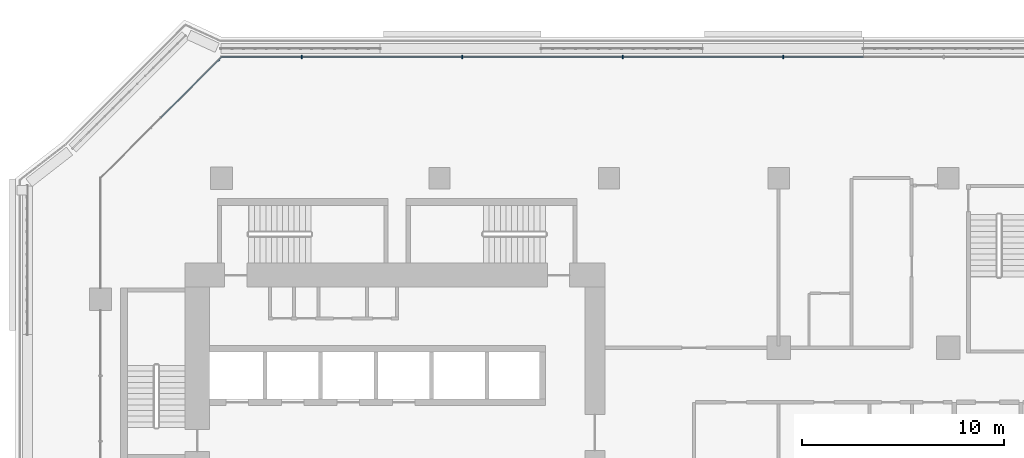
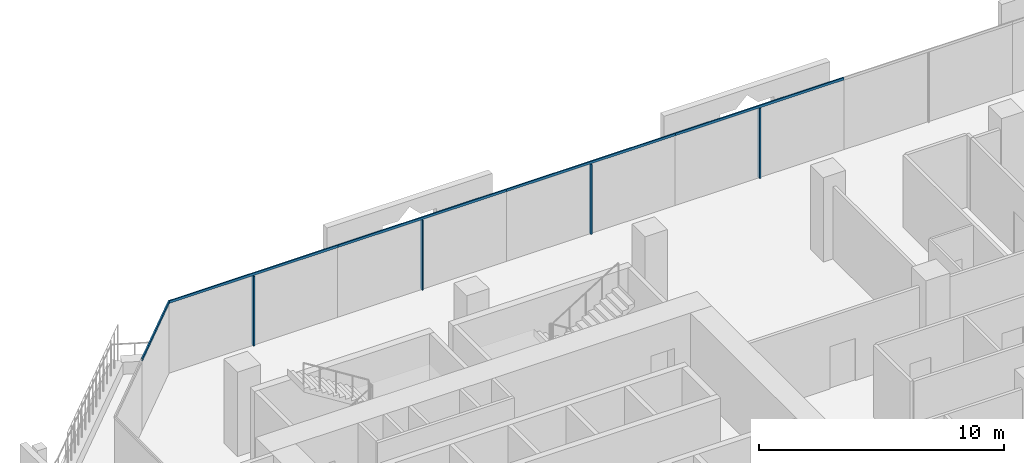
# One storey, part 8 of 25: 9 members, 2 elements without a shape of their own.
"""IFC4 building model written with IfcOpenShell, lengths in metres."""

from ifc_helpers import new_model, si_unit, direction, frame, origin, origin_2d, place, context, subcontext, project, spatial, rectangle, extrude, material, layer, layer_set, material_profile, profile_set, type_object, element, aggregate, save


model = new_model("IFC4")

# Units and contexts
model_context = context("Model", 3, precision=1e-05, world=origin(), true_north=direction((0.0, 1.0)))
body_context = subcontext(model_context, "Body", "Model", "MODEL_VIEW")
ifc_project = project(units=[si_unit("LENGTHUNIT", "METRE"), si_unit("AREAUNIT", "SQUARE_METRE"), si_unit("VOLUMEUNIT", "CUBIC_METRE"), si_unit("PLANEANGLEUNIT", "RADIAN"), si_unit("MASSUNIT", "GRAM", prefix="KILO")], contexts=[model_context])

# Site, building, storey
site_placement = place(None, origin())
site = spatial("IfcSite", under=ifc_project, at=site_placement, CompositionType="ELEMENT")
building_placement = place(site_placement, origin())
building = spatial("IfcBuilding", under=site, at=building_placement, Name="Kawkab Arch Medical Tower", CompositionType="ELEMENT")
storey_placement = place(building_placement, frame((0.0, 0.0, 140.800048828125)))
storey = spatial("IfcBuildingStorey", under=building, at=storey_placement, Name="L32", CompositionType="ELEMENT", Elevation=140.800048828125)

# Curtain wall, members
ifc_material_1 = material(Name="Bronze anodised aluminium curtain wall frame", Category="aluminium")
ifc_layer_1 = layer(ifc_material_1, 0.159912109375)
ifc_layer_set_1 = layer_set([ifc_layer_1], Name="Bronze anodised aluminium curtain wall frame")
curtain_wall_type_1 = type_object("IfcCurtainWallType", Name="CW1 ward curtain wall", PredefinedType="NOTDEFINED", material=ifc_layer_set_1)
placement = place(storey_placement, origin())
curtain_wall_1 = element("IfcCurtainWall", 1, at=placement, inside=storey, type_object=curtain_wall_type_1, Name="CW1 Ward curtain wall R11", PredefinedType="NOTDEFINED")
ifc_material_2 = material(Name="Bronze anodised aluminium curtain wall frame", Category="aluminium")
ifc_material_profile_1 = material_profile(ifc_material_2, rectangle(XDim=0.179931640625, YDim=0.06005859375, at=origin_2d()), Name="AL 60x180")
ifc_profile_set_1 = profile_set([ifc_material_profile_1], Name="Bronze anodised aluminium curtain wall frame")
member_type_1 = type_object("IfcMemberType", Name="CW1 mullion 60 x 180", PredefinedType="MULLION", material=ifc_profile_set_1)
member_1_placement = place(storey_placement, frame((33.824951171875, 6.0, 0.0), z_axis=(0.0, 0.0, 1.0), x_axis=(0.0, -1.0, 0.0)))
member_1 = element("IfcMember", 2, at=member_1_placement, type_object=member_type_1, Name="CW1 mullion 5.1", PredefinedType="MULLION", context=body_context, shape_type="SweptSolid", body=[
    extrude(rectangle(XDim=0.179931640625, YDim=0.06005859375, at=origin_2d()), origin(), (0.0, 0.0, 1.0), 3.47998046875),
])
member_2_placement = place(storey_placement, frame((25.875, 6.0, 0.0), z_axis=(0.0, 0.0, 1.0), x_axis=(0.0, -1.0, 0.0)))
member_2 = element("IfcMember", 3, at=member_2_placement, type_object=member_type_1, Name="CW1 mullion 6.1", PredefinedType="MULLION", context=body_context, shape_type="SweptSolid", body=[
    extrude(rectangle(XDim=0.179931640625, YDim=0.06005859375, at=origin_2d()), origin(), (0.0, 0.0, 1.0), 3.47998046875),
])
member_3_placement = place(storey_placement, frame((17.925048828125, 6.0, 0.0), z_axis=(0.0, 0.0, 1.0), x_axis=(0.0, -1.0, 0.0)))
member_3 = element("IfcMember", 4, at=member_3_placement, type_object=member_type_1, Name="CW1 mullion 7.1", PredefinedType="MULLION", context=body_context, shape_type="SweptSolid", body=[
    extrude(rectangle(XDim=0.179931640625, YDim=0.06005859375, at=origin_2d()), origin(), (0.0, 0.0, 1.0), 3.47998046875),
])
member_4_placement = place(storey_placement, frame((9.97509765625, 6.0, 0.0), z_axis=(0.0, 0.0, 1.0), x_axis=(0.0, -1.0, 0.0)))
member_4 = element("IfcMember", 5, at=member_4_placement, type_object=member_type_1, Name="CW1 mullion 8.1", PredefinedType="MULLION", context=body_context, shape_type="SweptSolid", body=[
    extrude(rectangle(XDim=0.179931640625, YDim=0.06005859375, at=origin_2d()), origin(), (0.0, 0.0, 1.0), 3.47998046875),
])
ifc_material_3 = material(Name="Bronze anodised aluminium curtain wall frame", Category="aluminium")
ifc_material_profile_2 = material_profile(ifc_material_3, rectangle(XDim=0.06005859375, YDim=0.1201171875, at=origin_2d()), Name="AL 60x120")
ifc_profile_set_2 = profile_set([ifc_material_profile_2], Name="Bronze anodised aluminium curtain wall frame")
member_type_2 = type_object("IfcMemberType", Name="CW1 transom 120 x 60", PredefinedType="USERDEFINED", material=ifc_profile_set_2)
member_5_placement = place(storey_placement, frame((37.800048828125, 6.0, 3.5400390625), z_axis=(-1.0, 0.0, 0.0), x_axis=(0.0, -1.0, 0.0)))
member_5 = element("IfcMember", 6, at=member_5_placement, type_object=member_type_2, Name="CW1 transom 5", ObjectType="TRANSOM", PredefinedType="USERDEFINED", context=body_context, shape_type="SweptSolid", body=[
    extrude(rectangle(XDim=0.06005859375, YDim=0.1201171875, at=origin_2d()), origin(), (0.0, 0.0, 1.0), 7.949951171875),
])
member_6_placement = place(storey_placement, frame((29.85009765625, 6.0, 3.5400390625), z_axis=(-1.0, 0.0, 0.0), x_axis=(0.0, -1.0, 0.0)))
member_6 = element("IfcMember", 7, at=member_6_placement, type_object=member_type_2, Name="CW1 transom 6", ObjectType="TRANSOM", PredefinedType="USERDEFINED", context=body_context, shape_type="SweptSolid", body=[
    extrude(rectangle(XDim=0.06005859375, YDim=0.1201171875, at=origin_2d()), origin(), (0.0, 0.0, 1.0), 7.9501953125),
])
member_7_placement = place(storey_placement, frame((21.89990234375, 6.0, 3.5400390625), z_axis=(-1.0, 0.0, 0.0), x_axis=(0.0, -1.0, 0.0)))
member_7 = element("IfcMember", 8, at=member_7_placement, type_object=member_type_2, Name="CW1 transom 7", ObjectType="TRANSOM", PredefinedType="USERDEFINED", context=body_context, shape_type="SweptSolid", body=[
    extrude(rectangle(XDim=0.06005859375, YDim=0.1201171875, at=origin_2d()), origin(), (0.0, 0.0, 1.0), 7.949951171875),
])
member_8_placement = place(storey_placement, frame((13.949951171875, 6.0, 3.5400390625), z_axis=(-1.0, 0.0, 0.0), x_axis=(0.0, -1.0, 0.0)))
member_8 = element("IfcMember", 9, at=member_8_placement, type_object=member_type_2, Name="CW1 transom 8", ObjectType="TRANSOM", PredefinedType="USERDEFINED", context=body_context, shape_type="SweptSolid", body=[
    extrude(rectangle(XDim=0.06005859375, YDim=0.1201171875, at=origin_2d()), origin(), (0.0, 0.0, 1.0), 7.949951171875),
])
aggregate(curtain_wall_1, [member_5, member_1, member_6, member_2, member_7, member_3, member_8, member_4])

# Curtain wall, member
ifc_material_4 = material(Name="Bronze anodised aluminium curtain wall frame", Category="aluminium")
ifc_layer_2 = layer(ifc_material_4, 0.159912109375)
ifc_layer_set_2 = layer_set([ifc_layer_2], Name="Bronze anodised aluminium curtain wall frame")
curtain_wall_type_2 = type_object("IfcCurtainWallType", Name="CW2 chamfer curtain wall", PredefinedType="NOTDEFINED", material=ifc_layer_set_2)
curtain_wall_2 = element("IfcCurtainWall", 10, at=placement, inside=storey, type_object=curtain_wall_type_2, Name="CW2 Chamfer curtain wall R12", PredefinedType="NOTDEFINED")
ifc_material_5 = material(Name="Bronze anodised aluminium curtain wall frame", Category="aluminium")
ifc_material_profile_3 = material_profile(ifc_material_5, rectangle(XDim=0.06005859375, YDim=0.139892578125, at=origin_2d()), Name="AL 60x140")
ifc_profile_set_3 = profile_set([ifc_material_profile_3], Name="Bronze anodised aluminium curtain wall frame")
member_type_3 = type_object("IfcMemberType", Name="CW2 transom 140 x 60", PredefinedType="USERDEFINED", material=ifc_profile_set_3)
member_9_placement = place(storey_placement, frame((6.0, 6.0, 3.530029296875), z_axis=(-0.707106781187, -0.707106781187, 0.0), x_axis=(0.707106781187, -0.707106781187, 0.0)))
member_9 = element("IfcMember", 11, at=member_9_placement, type_object=member_type_3, Name="CW2 transom 1", ObjectType="TRANSOM", PredefinedType="USERDEFINED", context=body_context, shape_type="SweptSolid", body=[
    extrude(rectangle(XDim=0.06005859375, YDim=0.139892578125, at=origin_2d()), origin(), (0.0, 0.0, 1.0), 4.24267578125),
])
aggregate(curtain_wall_2, [member_9])

save(model, "model.ifc")
